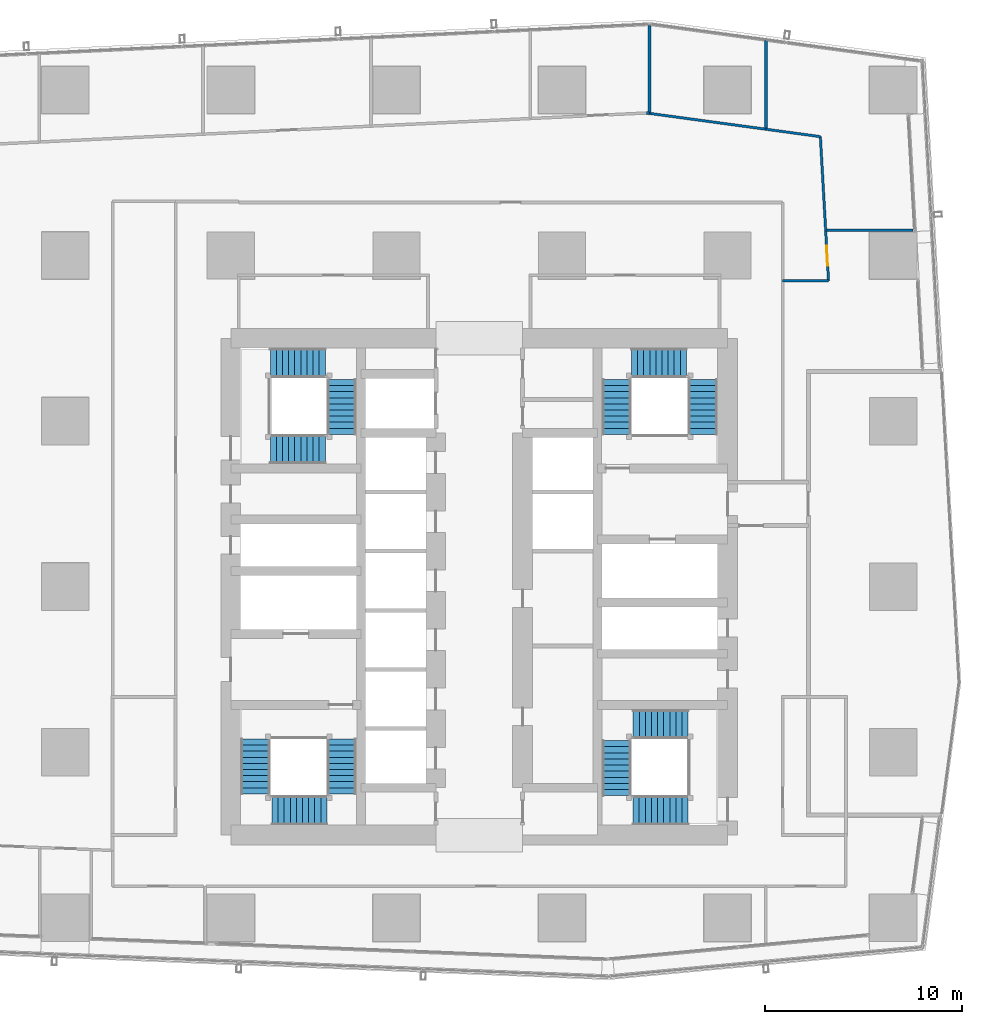
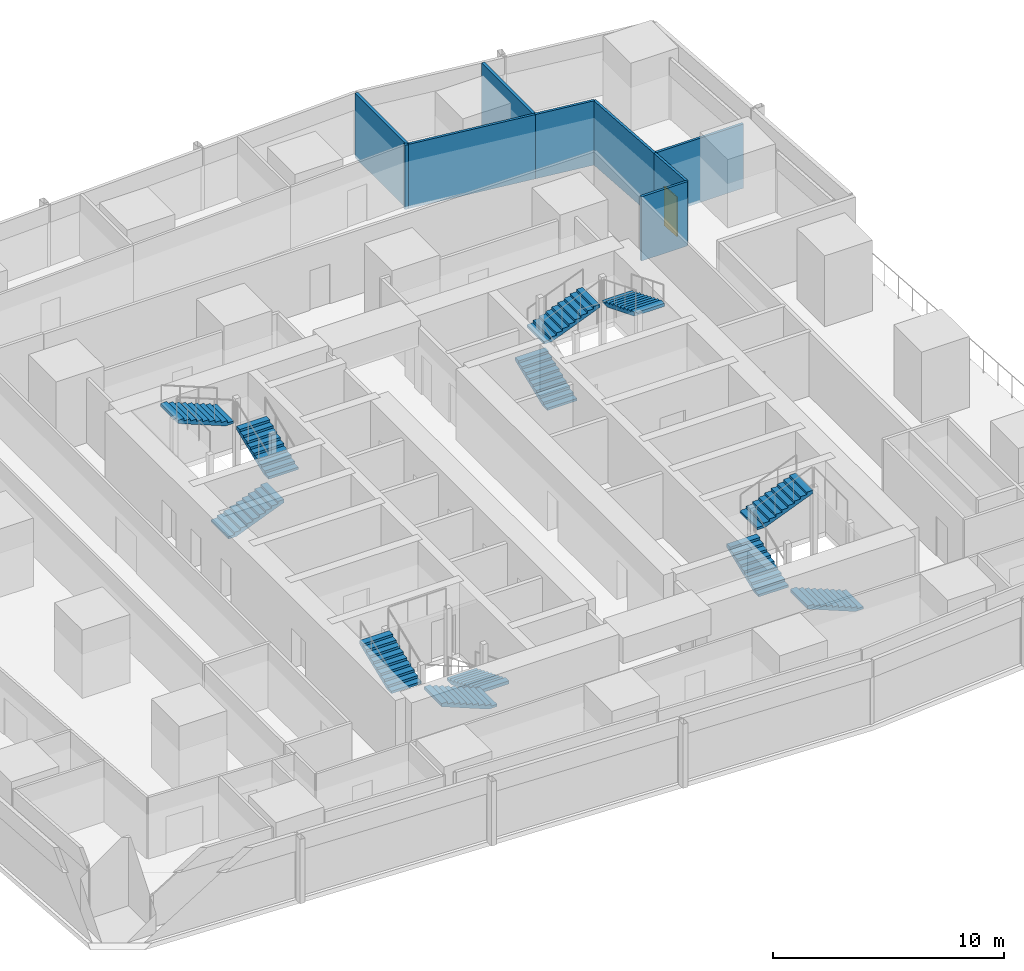
# One storey, part 26 of 34: 12 stair flights, 9 walls, 1 door, 1 opening, 4 elements without a shape of their own.
"""IFC4 building model written with IfcOpenShell, lengths in metres."""

from ifc_helpers import new_model, si_unit, direction, frame, frame_2d, origin, place, context, subcontext, project, spatial, polyline, rectangle, outline, extrude, material, layer, layer_set, type_object, element, fill, aggregate, save


model = new_model("IFC4")

# Units and contexts
model_context = context("Model", 3, precision=1e-05, world=origin(), true_north=direction((0.0, 1.0)))
body_context = subcontext(model_context, "Body", "Model", "MODEL_VIEW")
ifc_project = project(units=[si_unit("LENGTHUNIT", "METRE"), si_unit("AREAUNIT", "SQUARE_METRE"), si_unit("VOLUMEUNIT", "CUBIC_METRE"), si_unit("PLANEANGLEUNIT", "RADIAN"), si_unit("MASSUNIT", "GRAM", prefix="KILO")], contexts=[model_context])

# Site, building, storey
site_placement = place(None, origin())
site = spatial("IfcSite", under=ifc_project, at=site_placement, CompositionType="ELEMENT")
building_placement = place(site_placement, origin())
building = spatial("IfcBuilding", under=site, at=building_placement, Name="Rekha Terrace Tower", CompositionType="ELEMENT")
storey_placement = place(building_placement, frame((0.0, 0.0, 236.449951171875)))
storey = spatial("IfcBuildingStorey", under=building, at=storey_placement, Name="L60", CompositionType="ELEMENT", Elevation=236.449951171875)

# Walls
ifc_material_1 = material(Name="Concrete block masonry, 1 hour", Category="masonry")
ifc_layer_1 = layer(ifc_material_1, 0.14990234375)
ifc_layer_set_1 = layer_set([ifc_layer_1], Name="Concrete block masonry, 1 hour")
wall_type_1 = type_object("IfcWallType", Name="WP2 150 tenancy partition", PredefinedType="PARTITIONING", material=ifc_layer_set_1)
wall_1_placement = place(storey_placement, frame((46.281005859375, 57.634033203125, 0.0), z_axis=(0.0, 0.0, 1.0), x_axis=(0.991045565988, -0.133524103202, 0.0)))
element("IfcWall", 1, at=wall_1_placement, inside=storey, type_object=wall_type_1, Name="Partition L60-O1", PredefinedType="PARTITIONING", context=body_context, shape_type="SweptSolid", body=[
    extrude(rectangle(XDim=0.16455078125, YDim=0.14990234375, at=frame_2d((0.082275390625, 0.0))), origin(), (0.0, 0.0, 1.0), 3.400146484375),
])
wall_2_placement = place(storey_placement, frame((46.444091796875, 57.612060546875, 0.0), z_axis=(0.0, 0.0, 1.0), x_axis=(0.0, 1.0, 0.0)))
element("IfcWall", 2, at=wall_2_placement, inside=storey, type_object=wall_type_1, Name="Partition L60-O1", PredefinedType="PARTITIONING", context=body_context, shape_type="SweptSolid", body=[
    extrude(rectangle(XDim=4.454833984375, YDim=0.14990234375, at=frame_2d((2.2275390625, 0.0))), origin(), (0.0, 0.0, 1.0), 3.400146484375),
])
wall_3_placement = place(storey_placement, frame((52.340087890625, 56.873046875, 0.0), z_axis=(0.0, 0.0, 1.0), x_axis=(0.0, 1.0, 0.0)))
element("IfcWall", 3, at=wall_3_placement, inside=storey, type_object=wall_type_1, Name="Partition L60-O1", PredefinedType="PARTITIONING", context=body_context, shape_type="SweptSolid", body=[
    extrude(rectangle(XDim=4.427978515625, YDim=0.14990234375, at=frame_2d((2.2138671875, 0.0))), origin(), (0.0, 0.0, 1.0), 3.400146484375),
])

# Wall, opening, door
ifc_material_2 = material(Name="Two layers of fire-rated gypsum board each side on steel studs, acoustic quilt, 1 hour", Category="steel")
ifc_layer_2 = layer(ifc_material_2, 0.125)
ifc_layer_set_2 = layer_set([ifc_layer_2], Name="Two layers of fire-rated gypsum board each side on steel studs, acoustic quilt, 1 hour")
wall_type_2 = type_object("IfcWallType", Name="WP3 125 office partition", PredefinedType="PARTITIONING", material=ifc_layer_set_2)
wall_4_placement = place(storey_placement, frame((55.52392578125, 49.12890625, 0.0), z_axis=(0.0, 0.0, 1.0), x_axis=(-0.056885044285, 0.998380734859, 0.0)))
wall_4 = element("IfcWall", 4, at=wall_4_placement, inside=storey, type_object=wall_type_2, Name="Partition L60-04", PredefinedType="PARTITIONING", context=body_context, shape_type="SweptSolid", body=[
    extrude(rectangle(XDim=2.5322265625, YDim=0.125, at=frame_2d((1.26611328125, 0.0))), origin(), (0.0, 0.0, 1.0), 3.400146484375),
])
opening_placement = place(wall_4_placement, frame((0.76611328125, 0.0, 0.0)))
opening = element("IfcOpeningElement", 5, at=opening_placement, cuts=wall_4, Name="Opening D9", PredefinedType="OPENING", context=body_context, shape_type="SweptSolid", body=[
    extrude(rectangle(XDim=1.0, YDim=2.10009765625, at=frame_2d((0.5, 1.050048828125))), frame((0.0, 0.072509765625, 0.0), z_axis=(0.0, -1.0, 0.0), x_axis=(1.0, 0.0, 0.0)), (0.0, 0.0, 1.0), 0.14501953125),
])
ifc_material_3 = material(Name="Timber fire door", Category="wood")
door_type = type_object("IfcDoorType", Name="D9 1000x2100 office door", OperationType="SINGLE_SWING_LEFT", PredefinedType="DOOR", material=ifc_material_3)
door_placement = place(opening_placement, origin())
door = element("IfcDoor", 6, at=door_placement, inside=storey, type_object=door_type, Name="Door office L60", OperationType="SINGLE_SWING_LEFT", OverallHeight=2.10009765625, OverallWidth=1.0, PredefinedType="DOOR", context=body_context, shape_type="SweptSolid", body=[
    extrude(rectangle(XDim=1.0, YDim=2.10009765625, at=frame_2d((0.5, 1.050048828125))), frame((0.0, 0.02490234375, 0.0), z_axis=(0.0, -1.0, 0.0), x_axis=(1.0, 0.0, 0.0)), (0.0, 0.0, 1.0), 0.050048828125),
])
fill(opening, door)

# Walls
wall_5_placement = place(storey_placement, frame((55.44091796875, 51.693115234375, 0.0), z_axis=(0.0, 0.0, 1.0), x_axis=(1.0, 0.0, 0.0)))
element("IfcWall", 7, at=wall_5_placement, inside=storey, type_object=wall_type_2, Name="Partition L60-04", PredefinedType="PARTITIONING", context=body_context, shape_type="SweptSolid", body=[
    extrude(rectangle(XDim=4.364990234375, YDim=0.125, at=frame_2d((2.1826171875, 0.0))), origin(), (0.0, 0.0, 1.0), 3.400146484375),
])
wall_6_placement = place(storey_placement, frame((53.199951171875, 49.12890625, 0.0), z_axis=(0.0, 0.0, 1.0), x_axis=(1.0, 0.0, 0.0)))
element("IfcWall", 8, at=wall_6_placement, inside=storey, type_object=wall_type_2, Name="Partition L60-04", PredefinedType="PARTITIONING", context=body_context, shape_type="SweptSolid", body=[
    extrude(rectangle(XDim=2.323974609375, YDim=0.125, at=frame_2d((1.162109375, 0.0))), origin(), (0.0, 0.0, 1.0), 3.400146484375),
])
wall_7_placement = place(storey_placement, frame((55.3798828125, 51.657958984375, 0.0), z_axis=(0.0, 0.0, 1.0), x_axis=(-0.056660197754, 0.998393520607, 0.0)))
element("IfcWall", 9, at=wall_7_placement, inside=storey, type_object=wall_type_2, Name="Partition L60-05", PredefinedType="PARTITIONING", context=body_context, shape_type="SweptSolid", body=[
    extrude(rectangle(XDim=4.78271484375, YDim=0.125, at=frame_2d((2.391357421875, 0.0))), origin(), (0.0, 0.0, 1.0), 3.400146484375),
])
wall_8_placement = place(storey_placement, frame((55.10888671875, 56.43310546875, 0.0), z_axis=(0.0, 0.0, 1.0), x_axis=(-0.990846653584, 0.134992255637, 0.0)))
element("IfcWall", 10, at=wall_8_placement, inside=storey, type_object=wall_type_2, Name="Partition L60-05", PredefinedType="PARTITIONING", context=body_context, shape_type="SweptSolid", body=[
    extrude(rectangle(XDim=2.79248046875, YDim=0.125, at=frame_2d((1.396240234375, 0.0))), origin(), (0.0, 0.0, 1.0), 3.400146484375),
])
wall_9_placement = place(storey_placement, frame((52.342041015625, 56.81005859375, 0.0), z_axis=(0.0, 0.0, 1.0), x_axis=(-0.990878035621, 0.134761710152, 0.0)))
element("IfcWall", 11, at=wall_9_placement, inside=storey, type_object=wall_type_2, Name="Partition L60-05", PredefinedType="PARTITIONING", context=body_context, shape_type="SweptSolid", body=[
    extrude(rectangle(XDim=5.951171875, YDim=0.125, at=frame_2d((2.9755859375, 0.0))), origin(), (0.0, 0.0, 1.0), 3.400146484375),
])

# Stair, stair flights
ifc_material_4 = material(Name="Concrete M40", Category="concrete")
stair_type = type_object("IfcStairType", Name="ST30 stair, 30 risers of 125, going 310, 1500 wide flights, 3 flights", PredefinedType="HALF_TURN_STAIR", material=ifc_material_4)
stair_1_placement = place(storey_placement, origin())
stair_1 = element("IfcStair", 12, at=stair_1_placement, inside=storey, type_object=stair_type, Name="Stair ST1 L60 to L61", PredefinedType="HALF_TURN_STAIR")
stair_flight_type = type_object("IfcStairFlightType", Name="SF10 stair flight, 10 risers of 125, going 310, 1500 wide", PredefinedType="STRAIGHT", material=ifc_material_4)
stair_flight_1_placement = place(storey_placement, frame((30.824951171875, 25.875, 0.0), z_axis=(0.0, 0.0, 1.0), x_axis=(0.0, -1.0, 0.0)))
stair_flight_1 = element("IfcStairFlight", 13, at=stair_flight_1_placement, type_object=stair_flight_type, Name="ST1 flight 1", NumberOfRisers=10, NumberOfTreads=9, PredefinedType="STRAIGHT", RiserHeight=0.125, TreadLength=0.31, context=body_context, shape_type="SweptSolid", body=[
    extrude(outline(polyline([(0.0, 0.0), (0.0, 0.125), (0.31005859375, 0.125), (0.31005859375, 0.25), (0.6201171875, 0.25), (0.6201171875, 0.375), (0.929931640625, 0.375), (0.929931640625, 0.5), (1.239990234375, 0.5), (1.239990234375, 0.625), (1.550048828125, 0.625), (1.550048828125, 0.75), (1.860107421875, 0.75), (1.860107421875, 0.875), (2.169921875, 0.875), (2.169921875, 1.0), (2.47998046875, 1.0), (2.47998046875, 1.125), (2.7900390625, 1.125), (2.7900390625, 1.25), (2.7900390625, 0.96337890625), (0.40087890625, 0.0), (0.0, 0.0)])), frame((0.0, 0.75, 0.0), z_axis=(0.0, -1.0, 0.0), x_axis=(1.0, 0.0, 0.0)), (0.0, 0.0, 1.0), 1.5),
])
stair_flight_2_placement = place(storey_placement, frame((30.074951171875, 22.25, 1.25), z_axis=(0.0, 0.0, 1.0), x_axis=(-1.0, 0.0, 0.0)))
stair_flight_2 = element("IfcStairFlight", 14, at=stair_flight_2_placement, type_object=stair_flight_type, Name="ST1 flight 2", NumberOfRisers=10, NumberOfTreads=9, PredefinedType="STRAIGHT", RiserHeight=0.125, TreadLength=0.31, context=body_context, shape_type="SweptSolid", body=[
    extrude(outline(polyline([(0.0, 0.0), (0.0, 0.125), (0.31005859375, 0.125), (0.31005859375, 0.25), (0.6201171875, 0.25), (0.6201171875, 0.375), (0.929931640625, 0.375), (0.929931640625, 0.5), (1.239990234375, 0.5), (1.239990234375, 0.625), (1.550048828125, 0.625), (1.550048828125, 0.75), (1.860107421875, 0.75), (1.860107421875, 0.875), (2.169921875, 0.875), (2.169921875, 1.0), (2.47998046875, 1.0), (2.47998046875, 1.125), (2.7900390625, 1.125), (2.7900390625, 1.25), (2.7900390625, 0.96337890625), (0.40087890625, 0.0), (0.0, 0.0)])), frame((0.0, 0.75, 0.0), z_axis=(0.0, -1.0, 0.0), x_axis=(1.0, 0.0, 0.0)), (0.0, 0.0, 1.0), 1.5),
])
stair_flight_3_placement = place(storey_placement, frame((26.449951171875, 23.0849609375, 2.5), z_axis=(0.0, 0.0, 1.0), x_axis=(0.0, 1.0, 0.0)))
stair_flight_3 = element("IfcStairFlight", 15, at=stair_flight_3_placement, type_object=stair_flight_type, Name="ST1 flight 3", NumberOfRisers=10, NumberOfTreads=9, PredefinedType="STRAIGHT", RiserHeight=0.125, TreadLength=0.31, context=body_context, shape_type="SweptSolid", body=[
    extrude(outline(polyline([(0.0, 0.0), (0.0, 0.125), (0.31005859375, 0.125), (0.31005859375, 0.25), (0.6201171875, 0.25), (0.6201171875, 0.375), (0.929931640625, 0.375), (0.929931640625, 0.5), (1.239990234375, 0.5), (1.239990234375, 0.625), (1.550048828125, 0.625), (1.550048828125, 0.75), (1.860107421875, 0.75), (1.860107421875, 0.875), (2.169921875, 0.875), (2.169921875, 1.0), (2.47998046875, 1.0), (2.47998046875, 1.125), (2.7900390625, 1.125), (2.7900390625, 1.25), (2.7900390625, 0.96337890625), (0.40087890625, 0.0), (0.0, 0.0)])), frame((0.0, 0.75, 0.0), z_axis=(0.0, -1.0, 0.0), x_axis=(1.0, 0.0, 0.0)), (0.0, 0.0, 1.0), 1.5),
])
aggregate(stair_1, [stair_flight_1, stair_flight_2, stair_flight_3])

stair_2_placement = place(storey_placement, origin())
stair_2 = element("IfcStair", 16, at=stair_2_placement, inside=storey, type_object=stair_type, Name="Stair ST2 L60 to L61", PredefinedType="HALF_TURN_STAIR")
stair_flight_4_placement = place(storey_placement, frame((44.77490234375, 41.324951171875, 0.0), z_axis=(0.0, 0.0, 1.0), x_axis=(0.0, 1.0, 0.0)))
stair_flight_4 = element("IfcStairFlight", 17, at=stair_flight_4_placement, type_object=stair_flight_type, Name="ST2 flight 1", NumberOfRisers=10, NumberOfTreads=9, PredefinedType="STRAIGHT", RiserHeight=0.125, TreadLength=0.31, context=body_context, shape_type="SweptSolid", body=[
    extrude(outline(polyline([(0.0, 0.0), (0.0, 0.125), (0.31005859375, 0.125), (0.31005859375, 0.25), (0.6201171875, 0.25), (0.6201171875, 0.375), (0.929931640625, 0.375), (0.929931640625, 0.5), (1.239990234375, 0.5), (1.239990234375, 0.625), (1.550048828125, 0.625), (1.550048828125, 0.75), (1.860107421875, 0.75), (1.860107421875, 0.875), (2.169921875, 0.875), (2.169921875, 1.0), (2.47998046875, 1.0), (2.47998046875, 1.125), (2.7900390625, 1.125), (2.7900390625, 1.25), (2.7900390625, 0.96337890625), (0.40087890625, 0.0), (0.0, 0.0)])), frame((0.0, 0.75, 0.0), z_axis=(0.0, -1.0, 0.0), x_axis=(1.0, 0.0, 0.0)), (0.0, 0.0, 1.0), 1.5),
])
stair_flight_5_placement = place(storey_placement, frame((45.52490234375, 44.949951171875, 1.25), z_axis=(0.0, 0.0, 1.0), x_axis=(1.0, 0.0, 0.0)))
stair_flight_5 = element("IfcStairFlight", 18, at=stair_flight_5_placement, type_object=stair_flight_type, Name="ST2 flight 2", NumberOfRisers=10, NumberOfTreads=9, PredefinedType="STRAIGHT", RiserHeight=0.125, TreadLength=0.31, context=body_context, shape_type="SweptSolid", body=[
    extrude(outline(polyline([(0.0, 0.0), (0.0, 0.125), (0.31005859375, 0.125), (0.31005859375, 0.25), (0.6201171875, 0.25), (0.6201171875, 0.375), (0.929931640625, 0.375), (0.929931640625, 0.5), (1.239990234375, 0.5), (1.239990234375, 0.625), (1.550048828125, 0.625), (1.550048828125, 0.75), (1.860107421875, 0.75), (1.860107421875, 0.875), (2.169921875, 0.875), (2.169921875, 1.0), (2.47998046875, 1.0), (2.47998046875, 1.125), (2.7900390625, 1.125), (2.7900390625, 1.25), (2.7900390625, 0.96337890625), (0.40087890625, 0.0), (0.0, 0.0)])), frame((0.0, 0.75, 0.0), z_axis=(0.0, -1.0, 0.0), x_axis=(1.0, 0.0, 0.0)), (0.0, 0.0, 1.0), 1.5),
])
stair_flight_6_placement = place(storey_placement, frame((49.14990234375, 44.114990234375, 2.5), z_axis=(0.0, 0.0, 1.0), x_axis=(0.0, -1.0, 0.0)))
stair_flight_6 = element("IfcStairFlight", 19, at=stair_flight_6_placement, type_object=stair_flight_type, Name="ST2 flight 3", NumberOfRisers=10, NumberOfTreads=9, PredefinedType="STRAIGHT", RiserHeight=0.125, TreadLength=0.31, context=body_context, shape_type="SweptSolid", body=[
    extrude(outline(polyline([(0.0, 0.0), (0.0, 0.125), (0.31005859375, 0.125), (0.31005859375, 0.25), (0.6201171875, 0.25), (0.6201171875, 0.375), (0.929931640625, 0.375), (0.929931640625, 0.5), (1.239990234375, 0.5), (1.239990234375, 0.625), (1.550048828125, 0.625), (1.550048828125, 0.75), (1.860107421875, 0.75), (1.860107421875, 0.875), (2.169921875, 0.875), (2.169921875, 1.0), (2.47998046875, 1.0), (2.47998046875, 1.125), (2.7900390625, 1.125), (2.7900390625, 1.25), (2.7900390625, 0.96337890625), (0.40087890625, 0.0), (0.0, 0.0)])), frame((0.0, 0.75, 0.0), z_axis=(0.0, -1.0, 0.0), x_axis=(1.0, 0.0, 0.0)), (0.0, 0.0, 1.0), 1.5),
])
aggregate(stair_2, [stair_flight_4, stair_flight_5, stair_flight_6])

stair_3_placement = place(storey_placement, origin())
stair_3 = element("IfcStair", 20, at=stair_3_placement, inside=storey, type_object=stair_type, Name="Stair ST3 L60 to L61", PredefinedType="HALF_TURN_STAIR")
stair_flight_7_placement = place(storey_placement, frame((48.39990234375, 22.25, 0.0), z_axis=(0.0, 0.0, 1.0), x_axis=(-1.0, 0.0, 0.0)))
stair_flight_7 = element("IfcStairFlight", 21, at=stair_flight_7_placement, type_object=stair_flight_type, Name="ST3 flight 1", NumberOfRisers=10, NumberOfTreads=9, PredefinedType="STRAIGHT", RiserHeight=0.125, TreadLength=0.31, context=body_context, shape_type="SweptSolid", body=[
    extrude(outline(polyline([(0.0, 0.0), (0.0, 0.125), (0.31005859375, 0.125), (0.31005859375, 0.25), (0.6201171875, 0.25), (0.6201171875, 0.375), (0.929931640625, 0.375), (0.929931640625, 0.5), (1.239990234375, 0.5), (1.239990234375, 0.625), (1.550048828125, 0.625), (1.550048828125, 0.75), (1.860107421875, 0.75), (1.860107421875, 0.875), (2.169921875, 0.875), (2.169921875, 1.0), (2.47998046875, 1.0), (2.47998046875, 1.125), (2.7900390625, 1.125), (2.7900390625, 1.25), (2.7900390625, 0.96337890625), (0.40087890625, 0.0), (0.0, 0.0)])), frame((0.0, 0.75, 0.0), z_axis=(0.0, -1.0, 0.0), x_axis=(1.0, 0.0, 0.0)), (0.0, 0.0, 1.0), 1.5),
])
stair_flight_8_placement = place(storey_placement, frame((44.77490234375, 23.0, 1.25), z_axis=(0.0, 0.0, 1.0), x_axis=(0.0, 1.0, 0.0)))
stair_flight_8 = element("IfcStairFlight", 22, at=stair_flight_8_placement, type_object=stair_flight_type, Name="ST3 flight 2", NumberOfRisers=10, NumberOfTreads=9, PredefinedType="STRAIGHT", RiserHeight=0.125, TreadLength=0.31, context=body_context, shape_type="SweptSolid", body=[
    extrude(outline(polyline([(0.0, 0.0), (0.0, 0.125), (0.31005859375, 0.125), (0.31005859375, 0.25), (0.6201171875, 0.25), (0.6201171875, 0.375), (0.929931640625, 0.375), (0.929931640625, 0.5), (1.239990234375, 0.5), (1.239990234375, 0.625), (1.550048828125, 0.625), (1.550048828125, 0.75), (1.860107421875, 0.75), (1.860107421875, 0.875), (2.169921875, 0.875), (2.169921875, 1.0), (2.47998046875, 1.0), (2.47998046875, 1.125), (2.7900390625, 1.125), (2.7900390625, 1.25), (2.7900390625, 0.96337890625), (0.40087890625, 0.0), (0.0, 0.0)])), frame((0.0, 0.75, 0.0), z_axis=(0.0, -1.0, 0.0), x_axis=(1.0, 0.0, 0.0)), (0.0, 0.0, 1.0), 1.5),
])
stair_flight_9_placement = place(storey_placement, frame((45.610107421875, 26.625, 2.5), z_axis=(0.0, 0.0, 1.0), x_axis=(1.0, 0.0, 0.0)))
stair_flight_9 = element("IfcStairFlight", 23, at=stair_flight_9_placement, type_object=stair_flight_type, Name="ST3 flight 3", NumberOfRisers=10, NumberOfTreads=9, PredefinedType="STRAIGHT", RiserHeight=0.125, TreadLength=0.31, context=body_context, shape_type="SweptSolid", body=[
    extrude(outline(polyline([(0.0, 0.0), (0.0, 0.125), (0.31005859375, 0.125), (0.31005859375, 0.25), (0.6201171875, 0.25), (0.6201171875, 0.375), (0.929931640625, 0.375), (0.929931640625, 0.5), (1.239990234375, 0.5), (1.239990234375, 0.625), (1.550048828125, 0.625), (1.550048828125, 0.75), (1.860107421875, 0.75), (1.860107421875, 0.875), (2.169921875, 0.875), (2.169921875, 1.0), (2.47998046875, 1.0), (2.47998046875, 1.125), (2.7900390625, 1.125), (2.7900390625, 1.25), (2.7900390625, 0.96337890625), (0.40087890625, 0.0), (0.0, 0.0)])), frame((0.0, 0.75, 0.0), z_axis=(0.0, -1.0, 0.0), x_axis=(1.0, 0.0, 0.0)), (0.0, 0.0, 1.0), 1.5),
])
aggregate(stair_3, [stair_flight_7, stair_flight_8, stair_flight_9])

stair_4_placement = place(storey_placement, origin())
stair_4 = element("IfcStair", 24, at=stair_4_placement, inside=storey, type_object=stair_type, Name="Stair ST4 L60 to L61", PredefinedType="HALF_TURN_STAIR")
stair_flight_10_placement = place(storey_placement, frame((27.199951171875, 40.574951171875, 0.0), z_axis=(0.0, 0.0, 1.0), x_axis=(1.0, 0.0, 0.0)))
stair_flight_10 = element("IfcStairFlight", 25, at=stair_flight_10_placement, type_object=stair_flight_type, Name="ST4 flight 1", NumberOfRisers=10, NumberOfTreads=9, PredefinedType="STRAIGHT", RiserHeight=0.125, TreadLength=0.31, context=body_context, shape_type="SweptSolid", body=[
    extrude(outline(polyline([(0.0, 0.0), (0.0, 0.125), (0.31005859375, 0.125), (0.31005859375, 0.25), (0.6201171875, 0.25), (0.6201171875, 0.375), (0.929931640625, 0.375), (0.929931640625, 0.5), (1.239990234375, 0.5), (1.239990234375, 0.625), (1.550048828125, 0.625), (1.550048828125, 0.75), (1.860107421875, 0.75), (1.860107421875, 0.875), (2.169921875, 0.875), (2.169921875, 1.0), (2.47998046875, 1.0), (2.47998046875, 1.125), (2.7900390625, 1.125), (2.7900390625, 1.25), (2.7900390625, 0.96337890625), (0.40087890625, 0.0), (0.0, 0.0)])), frame((0.0, 0.75, 0.0), z_axis=(0.0, -1.0, 0.0), x_axis=(1.0, 0.0, 0.0)), (0.0, 0.0, 1.0), 1.5),
])
stair_flight_11_placement = place(storey_placement, frame((30.824951171875, 41.324951171875, 1.25), z_axis=(0.0, 0.0, 1.0), x_axis=(0.0, 1.0, 0.0)))
stair_flight_11 = element("IfcStairFlight", 26, at=stair_flight_11_placement, type_object=stair_flight_type, Name="ST4 flight 2", NumberOfRisers=10, NumberOfTreads=9, PredefinedType="STRAIGHT", RiserHeight=0.125, TreadLength=0.31, context=body_context, shape_type="SweptSolid", body=[
    extrude(outline(polyline([(0.0, 0.0), (0.0, 0.125), (0.31005859375, 0.125), (0.31005859375, 0.25), (0.6201171875, 0.25), (0.6201171875, 0.375), (0.929931640625, 0.375), (0.929931640625, 0.5), (1.239990234375, 0.5), (1.239990234375, 0.625), (1.550048828125, 0.625), (1.550048828125, 0.75), (1.860107421875, 0.75), (1.860107421875, 0.875), (2.169921875, 0.875), (2.169921875, 1.0), (2.47998046875, 1.0), (2.47998046875, 1.125), (2.7900390625, 1.125), (2.7900390625, 1.25), (2.7900390625, 0.96337890625), (0.40087890625, 0.0), (0.0, 0.0)])), frame((0.0, 0.75, 0.0), z_axis=(0.0, -1.0, 0.0), x_axis=(1.0, 0.0, 0.0)), (0.0, 0.0, 1.0), 1.5),
])
stair_flight_12_placement = place(storey_placement, frame((29.989990234375, 44.949951171875, 2.5), z_axis=(0.0, 0.0, 1.0), x_axis=(-1.0, 0.0, 0.0)))
stair_flight_12 = element("IfcStairFlight", 27, at=stair_flight_12_placement, type_object=stair_flight_type, Name="ST4 flight 3", NumberOfRisers=10, NumberOfTreads=9, PredefinedType="STRAIGHT", RiserHeight=0.125, TreadLength=0.31, context=body_context, shape_type="SweptSolid", body=[
    extrude(outline(polyline([(0.0, 0.0), (0.0, 0.125), (0.31005859375, 0.125), (0.31005859375, 0.25), (0.6201171875, 0.25), (0.6201171875, 0.375), (0.929931640625, 0.375), (0.929931640625, 0.5), (1.239990234375, 0.5), (1.239990234375, 0.625), (1.550048828125, 0.625), (1.550048828125, 0.75), (1.860107421875, 0.75), (1.860107421875, 0.875), (2.169921875, 0.875), (2.169921875, 1.0), (2.47998046875, 1.0), (2.47998046875, 1.125), (2.7900390625, 1.125), (2.7900390625, 1.25), (2.7900390625, 0.96337890625), (0.40087890625, 0.0), (0.0, 0.0)])), frame((0.0, 0.75, 0.0), z_axis=(0.0, -1.0, 0.0), x_axis=(1.0, 0.0, 0.0)), (0.0, 0.0, 1.0), 1.5),
])
aggregate(stair_4, [stair_flight_10, stair_flight_11, stair_flight_12])

save(model, "model.ifc")
